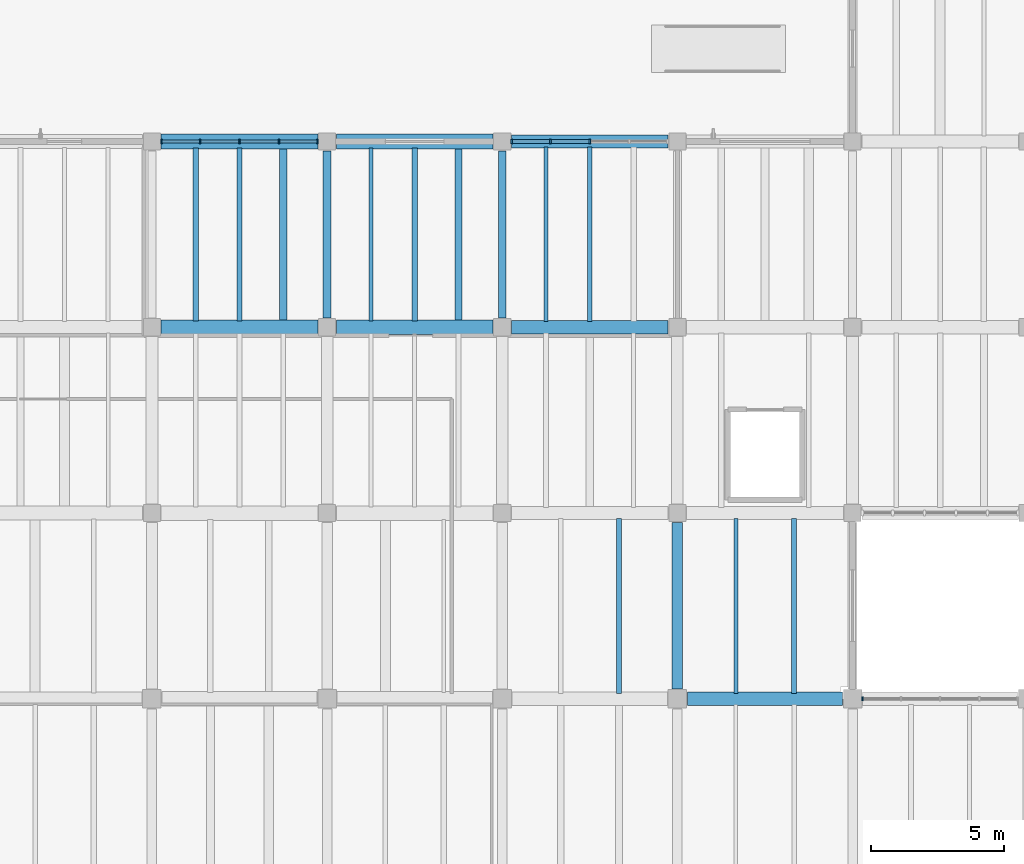
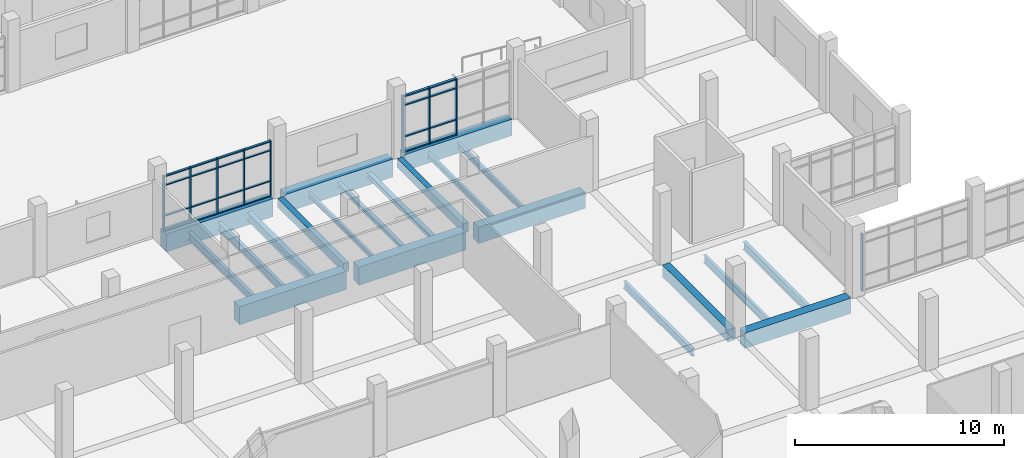
# One storey, part 17 of 69: 33 members, 21 beams, 3 elements without a shape of their own.
"""IFC4 building model written with IfcOpenShell, lengths in metres."""

from ifc_helpers import new_model, si_unit, direction, frame, origin, origin_2d, place, context, subcontext, project, spatial, rectangle, i_section, extrude, material, material_profile, profile_set, type_object, element, aggregate, save


model = new_model("IFC4")

# Units and contexts
model_context = context("Model", 3, precision=1e-05, world=origin(), true_north=direction((0.0, 1.0)))
body_context = subcontext(model_context, "Body", "Model", "MODEL_VIEW")
ifc_project = project(units=[si_unit("LENGTHUNIT", "METRE"), si_unit("AREAUNIT", "SQUARE_METRE"), si_unit("VOLUMEUNIT", "CUBIC_METRE"), si_unit("PLANEANGLEUNIT", "RADIAN"), si_unit("MASSUNIT", "GRAM", prefix="KILO")], contexts=[model_context])

# Site, building, storey
site_placement = place(None, origin())
site = spatial("IfcSite", under=ifc_project, at=site_placement, CompositionType="ELEMENT")
building_placement = place(site_placement, origin())
building = spatial("IfcBuilding", under=site, at=building_placement, Name="Ciguamira Faculty of Natural Sciences", CompositionType="ELEMENT")
storey_placement = place(building_placement, origin())
storey = spatial("IfcBuildingStorey", under=building, at=storey_placement, Name="L00", CompositionType="ELEMENT", Elevation=0.0)

# Curtain wall, member
ifc_material_1 = material(Name="Anodized aluminium curtain wall", Category="aluminium")
curtain_wall_type_1 = type_object("IfcCurtainWallType", Name="CurtainWall_CW-07", PredefinedType="USERDEFINED", material=ifc_material_1)
curtain_wall_1_placement = place(storey_placement, origin())
curtain_wall_1 = element("IfcCurtainWall", 1, at=curtain_wall_1_placement, inside=storey, type_object=curtain_wall_type_1, Name="L00 unitised curtain wall 0007", ObjectType="UNITISED CURTAIN WALL", PredefinedType="USERDEFINED")
ifc_material_2 = material(Name="Anodized aluminium mullion", Category="aluminium")
ifc_material_profile_1 = material_profile(ifc_material_2, rectangle(XDim=0.06005859375, YDim=0.159912109375, at=origin_2d()), Name="ALU-MUL-60X160")
ifc_profile_set_1 = profile_set([ifc_material_profile_1], Name="Anodized aluminium mullion")
member_type_1 = type_object("IfcMemberType", Name="CWMullion_CWM-01", PredefinedType="MULLION", material=ifc_profile_set_1)
member_1_placement = place(storey_placement, frame((110.47998046875, 38.0, 0.0), z_axis=(0.0, 0.0, 1.0), x_axis=(1.0, 0.0, 0.0)))
member_1 = element("IfcMember", 2, at=member_1_placement, type_object=member_type_1, Name="CW-07 mullion 1", PredefinedType="MULLION", context=body_context, shape_type="SweptSolid", body=[
    extrude(rectangle(XDim=0.06005859375, YDim=0.159912109375, at=origin_2d()), origin(), (0.0, 0.0, 1.0), 3.364990234375),
])
aggregate(curtain_wall_1, [member_1])

# Curtain wall, members
curtain_wall_type_2 = type_object("IfcCurtainWallType", Name="CurtainWall_CW-10", PredefinedType="USERDEFINED", material=ifc_material_1)
curtain_wall_2_placement = place(storey_placement, origin())
curtain_wall_2 = element("IfcCurtainWall", 3, at=curtain_wall_2_placement, inside=storey, type_object=curtain_wall_type_2, Name="L00 unitised curtain wall 0010", ObjectType="UNITISED CURTAIN WALL", PredefinedType="USERDEFINED")
member_2_placement = place(storey_placement, frame((84.054931640625, 59.0, 0.0), z_axis=(0.0, 0.0, 1.0), x_axis=(1.0, 0.0, 0.0)))
member_2 = element("IfcMember", 4, at=member_2_placement, type_object=member_type_1, Name="CW-10 mullion 1", PredefinedType="MULLION", context=body_context, shape_type="SweptSolid", body=[
    extrude(rectangle(XDim=0.06005859375, YDim=0.159912109375, at=origin_2d()), origin(), (0.0, 0.0, 1.0), 3.235107421875),
])
member_3_placement = place(storey_placement, frame((85.512451171875, 59.0, 0.0), z_axis=(0.0, 0.0, 1.0), x_axis=(1.0, 0.0, 0.0)))
member_3 = element("IfcMember", 5, at=member_3_placement, type_object=member_type_1, Name="CW-10 mullion 2", PredefinedType="MULLION", context=body_context, shape_type="SweptSolid", body=[
    extrude(rectangle(XDim=0.06005859375, YDim=0.159912109375, at=origin_2d()), origin(), (0.0, 0.0, 1.0), 3.235107421875),
])
member_4_placement = place(storey_placement, frame((87.0, 59.0, 0.0), z_axis=(0.0, 0.0, 1.0), x_axis=(1.0, 0.0, 0.0)))
member_4 = element("IfcMember", 6, at=member_4_placement, type_object=member_type_1, Name="CW-10 mullion 3", PredefinedType="MULLION", context=body_context, shape_type="SweptSolid", body=[
    extrude(rectangle(XDim=0.06005859375, YDim=0.159912109375, at=origin_2d()), origin(), (0.0, 0.0, 1.0), 3.235107421875),
])
member_5_placement = place(storey_placement, frame((88.487548828125, 59.0, 0.0), z_axis=(0.0, 0.0, 1.0), x_axis=(1.0, 0.0, 0.0)))
member_5 = element("IfcMember", 7, at=member_5_placement, type_object=member_type_1, Name="CW-10 mullion 4", PredefinedType="MULLION", context=body_context, shape_type="SweptSolid", body=[
    extrude(rectangle(XDim=0.06005859375, YDim=0.159912109375, at=origin_2d()), origin(), (0.0, 0.0, 1.0), 3.235107421875),
])
member_6_placement = place(storey_placement, frame((89.945068359375, 59.0, 0.0), z_axis=(0.0, 0.0, 1.0), x_axis=(1.0, 0.0, 0.0)))
member_6 = element("IfcMember", 8, at=member_6_placement, type_object=member_type_1, Name="CW-10 mullion 5", PredefinedType="MULLION", context=body_context, shape_type="SweptSolid", body=[
    extrude(rectangle(XDim=0.06005859375, YDim=0.159912109375, at=origin_2d()), origin(), (0.0, 0.0, 1.0), 3.235107421875),
])

curtain_wall_type_3 = type_object("IfcCurtainWallType", Name="CurtainWall_CW-11", PredefinedType="USERDEFINED", material=ifc_material_1)
curtain_wall_3_placement = place(storey_placement, origin())
curtain_wall_3 = element("IfcCurtainWall", 9, at=curtain_wall_3_placement, inside=storey, type_object=curtain_wall_type_3, Name="L00 unitised curtain wall 0011", ObjectType="UNITISED CURTAIN WALL", PredefinedType="USERDEFINED")
ifc_material_profile_2 = material_profile(ifc_material_2, rectangle(XDim=0.070068359375, YDim=0.179931640625, at=origin_2d()), Name="ALU-MUL-70X180")
ifc_profile_set_2 = profile_set([ifc_material_profile_2], Name="Anodized aluminium mullion")
member_type_2 = type_object("IfcMemberType", Name="CWMullion_CWM-02", PredefinedType="MULLION", material=ifc_profile_set_2)
member_7_placement = place(storey_placement, frame((97.260009765625, 59.0, 0.0), z_axis=(0.0, 0.0, 1.0), x_axis=(1.0, 0.0, 0.0)))
member_7 = element("IfcMember", 10, at=member_7_placement, type_object=member_type_2, Name="CW-11 mullion 1", PredefinedType="MULLION", context=body_context, shape_type="SweptSolid", body=[
    extrude(rectangle(XDim=0.070068359375, YDim=0.179931640625, at=origin_2d()), origin(), (0.0, 0.0, 1.0), 3.284912109375),
])
member_8_placement = place(storey_placement, frame((98.71240234375, 59.0, 0.0), z_axis=(0.0, 0.0, 1.0), x_axis=(1.0, 0.0, 0.0)))
member_8 = element("IfcMember", 11, at=member_8_placement, type_object=member_type_2, Name="CW-11 mullion 2", PredefinedType="MULLION", context=body_context, shape_type="SweptSolid", body=[
    extrude(rectangle(XDim=0.070068359375, YDim=0.179931640625, at=origin_2d()), origin(), (0.0, 0.0, 1.0), 3.284912109375),
])
member_9_placement = place(storey_placement, frame((100.199951171875, 59.0, 0.0), z_axis=(0.0, 0.0, 1.0), x_axis=(1.0, 0.0, 0.0)))
member_9 = element("IfcMember", 12, at=member_9_placement, type_object=member_type_2, Name="CW-11 mullion 3", PredefinedType="MULLION", context=body_context, shape_type="SweptSolid", body=[
    extrude(rectangle(XDim=0.070068359375, YDim=0.179931640625, at=origin_2d()), origin(), (0.0, 0.0, 1.0), 3.284912109375),
])

# Member
ifc_material_3 = material(Name="Anodized aluminium transom", Category="aluminium")
ifc_material_profile_3 = material_profile(ifc_material_3, rectangle(XDim=0.06005859375, YDim=0.1201171875, at=origin_2d()), Name="ALU-TRN-60X120")
ifc_profile_set_3 = profile_set([ifc_material_profile_3], Name="Anodized aluminium transom")
member_type_3 = type_object("IfcMemberType", Name="CWTransom_CWT-01", PredefinedType="USERDEFINED", material=ifc_profile_set_3)
member_10_placement = place(storey_placement, frame((84.0849609375, 59.0, 0.030029296875), z_axis=(1.0, 0.0, 0.0), x_axis=(0.0, 0.0, 1.0)))
member_10 = element("IfcMember", 13, at=member_10_placement, type_object=member_type_3, Name="CW-10 transom 1.1", ObjectType="TRANSOM", PredefinedType="USERDEFINED", context=body_context, shape_type="SweptSolid", body=[
    extrude(rectangle(XDim=0.06005859375, YDim=0.1201171875, at=origin_2d()), origin(), (0.0, 0.0, 1.0), 1.3974609375),
])

member_11_placement = place(storey_placement, frame((84.0849609375, 59.0, 0.89990234375), z_axis=(1.0, 0.0, 0.0), x_axis=(0.0, 0.0, 1.0)))
member_11 = element("IfcMember", 14, at=member_11_placement, type_object=member_type_3, Name="CW-10 transom 1.2", ObjectType="TRANSOM", PredefinedType="USERDEFINED", context=body_context, shape_type="SweptSolid", body=[
    extrude(rectangle(XDim=0.06005859375, YDim=0.1201171875, at=origin_2d()), origin(), (0.0, 0.0, 1.0), 1.3974609375),
])

member_12_placement = place(storey_placement, frame((84.0849609375, 59.0, 2.68505859375), z_axis=(1.0, 0.0, 0.0), x_axis=(0.0, 0.0, 1.0)))
member_12 = element("IfcMember", 15, at=member_12_placement, type_object=member_type_3, Name="CW-10 transom 1.3", ObjectType="TRANSOM", PredefinedType="USERDEFINED", context=body_context, shape_type="SweptSolid", body=[
    extrude(rectangle(XDim=0.06005859375, YDim=0.1201171875, at=origin_2d()), origin(), (0.0, 0.0, 1.0), 1.3974609375),
])

member_13_placement = place(storey_placement, frame((84.0849609375, 59.0, 3.205078125), z_axis=(1.0, 0.0, 0.0), x_axis=(0.0, 0.0, 1.0)))
member_13 = element("IfcMember", 16, at=member_13_placement, type_object=member_type_3, Name="CW-10 transom 1.4", ObjectType="TRANSOM", PredefinedType="USERDEFINED", context=body_context, shape_type="SweptSolid", body=[
    extrude(rectangle(XDim=0.06005859375, YDim=0.1201171875, at=origin_2d()), origin(), (0.0, 0.0, 1.0), 1.3974609375),
])

member_14_placement = place(storey_placement, frame((85.54248046875, 59.0, 0.030029296875), z_axis=(1.0, 0.0, 0.0), x_axis=(0.0, 0.0, 1.0)))
member_14 = element("IfcMember", 17, at=member_14_placement, type_object=member_type_3, Name="CW-10 transom 2.1", ObjectType="TRANSOM", PredefinedType="USERDEFINED", context=body_context, shape_type="SweptSolid", body=[
    extrude(rectangle(XDim=0.06005859375, YDim=0.1201171875, at=origin_2d()), origin(), (0.0, 0.0, 1.0), 1.427490234375),
])

member_15_placement = place(storey_placement, frame((85.54248046875, 59.0, 0.89990234375), z_axis=(1.0, 0.0, 0.0), x_axis=(0.0, 0.0, 1.0)))
member_15 = element("IfcMember", 18, at=member_15_placement, type_object=member_type_3, Name="CW-10 transom 2.2", ObjectType="TRANSOM", PredefinedType="USERDEFINED", context=body_context, shape_type="SweptSolid", body=[
    extrude(rectangle(XDim=0.06005859375, YDim=0.1201171875, at=origin_2d()), origin(), (0.0, 0.0, 1.0), 1.427490234375),
])

member_16_placement = place(storey_placement, frame((85.54248046875, 59.0, 2.68505859375), z_axis=(1.0, 0.0, 0.0), x_axis=(0.0, 0.0, 1.0)))
member_16 = element("IfcMember", 19, at=member_16_placement, type_object=member_type_3, Name="CW-10 transom 2.3", ObjectType="TRANSOM", PredefinedType="USERDEFINED", context=body_context, shape_type="SweptSolid", body=[
    extrude(rectangle(XDim=0.06005859375, YDim=0.1201171875, at=origin_2d()), origin(), (0.0, 0.0, 1.0), 1.427490234375),
])

member_17_placement = place(storey_placement, frame((85.54248046875, 59.0, 3.205078125), z_axis=(1.0, 0.0, 0.0), x_axis=(0.0, 0.0, 1.0)))
member_17 = element("IfcMember", 20, at=member_17_placement, type_object=member_type_3, Name="CW-10 transom 2.4", ObjectType="TRANSOM", PredefinedType="USERDEFINED", context=body_context, shape_type="SweptSolid", body=[
    extrude(rectangle(XDim=0.06005859375, YDim=0.1201171875, at=origin_2d()), origin(), (0.0, 0.0, 1.0), 1.427490234375),
])

member_18_placement = place(storey_placement, frame((87.030029296875, 59.0, 0.030029296875), z_axis=(1.0, 0.0, 0.0), x_axis=(0.0, 0.0, 1.0)))
member_18 = element("IfcMember", 21, at=member_18_placement, type_object=member_type_3, Name="CW-10 transom 3.1", ObjectType="TRANSOM", PredefinedType="USERDEFINED", context=body_context, shape_type="SweptSolid", body=[
    extrude(rectangle(XDim=0.06005859375, YDim=0.1201171875, at=origin_2d()), origin(), (0.0, 0.0, 1.0), 1.427490234375),
])

member_19_placement = place(storey_placement, frame((87.030029296875, 59.0, 0.89990234375), z_axis=(1.0, 0.0, 0.0), x_axis=(0.0, 0.0, 1.0)))
member_19 = element("IfcMember", 22, at=member_19_placement, type_object=member_type_3, Name="CW-10 transom 3.2", ObjectType="TRANSOM", PredefinedType="USERDEFINED", context=body_context, shape_type="SweptSolid", body=[
    extrude(rectangle(XDim=0.06005859375, YDim=0.1201171875, at=origin_2d()), origin(), (0.0, 0.0, 1.0), 1.427490234375),
])

member_20_placement = place(storey_placement, frame((87.030029296875, 59.0, 2.68505859375), z_axis=(1.0, 0.0, 0.0), x_axis=(0.0, 0.0, 1.0)))
member_20 = element("IfcMember", 23, at=member_20_placement, type_object=member_type_3, Name="CW-10 transom 3.3", ObjectType="TRANSOM", PredefinedType="USERDEFINED", context=body_context, shape_type="SweptSolid", body=[
    extrude(rectangle(XDim=0.06005859375, YDim=0.1201171875, at=origin_2d()), origin(), (0.0, 0.0, 1.0), 1.427490234375),
])

member_21_placement = place(storey_placement, frame((87.030029296875, 59.0, 3.205078125), z_axis=(1.0, 0.0, 0.0), x_axis=(0.0, 0.0, 1.0)))
member_21 = element("IfcMember", 24, at=member_21_placement, type_object=member_type_3, Name="CW-10 transom 3.4", ObjectType="TRANSOM", PredefinedType="USERDEFINED", context=body_context, shape_type="SweptSolid", body=[
    extrude(rectangle(XDim=0.06005859375, YDim=0.1201171875, at=origin_2d()), origin(), (0.0, 0.0, 1.0), 1.427490234375),
])

member_22_placement = place(storey_placement, frame((88.517578125, 59.0, 0.030029296875), z_axis=(1.0, 0.0, 0.0), x_axis=(0.0, 0.0, 1.0)))
member_22 = element("IfcMember", 25, at=member_22_placement, type_object=member_type_3, Name="CW-10 transom 4.1", ObjectType="TRANSOM", PredefinedType="USERDEFINED", context=body_context, shape_type="SweptSolid", body=[
    extrude(rectangle(XDim=0.06005859375, YDim=0.1201171875, at=origin_2d()), origin(), (0.0, 0.0, 1.0), 1.3974609375),
])

member_23_placement = place(storey_placement, frame((88.517578125, 59.0, 0.89990234375), z_axis=(1.0, 0.0, 0.0), x_axis=(0.0, 0.0, 1.0)))
member_23 = element("IfcMember", 26, at=member_23_placement, type_object=member_type_3, Name="CW-10 transom 4.2", ObjectType="TRANSOM", PredefinedType="USERDEFINED", context=body_context, shape_type="SweptSolid", body=[
    extrude(rectangle(XDim=0.06005859375, YDim=0.1201171875, at=origin_2d()), origin(), (0.0, 0.0, 1.0), 1.3974609375),
])

member_24_placement = place(storey_placement, frame((88.517578125, 59.0, 2.68505859375), z_axis=(1.0, 0.0, 0.0), x_axis=(0.0, 0.0, 1.0)))
member_24 = element("IfcMember", 27, at=member_24_placement, type_object=member_type_3, Name="CW-10 transom 4.3", ObjectType="TRANSOM", PredefinedType="USERDEFINED", context=body_context, shape_type="SweptSolid", body=[
    extrude(rectangle(XDim=0.06005859375, YDim=0.1201171875, at=origin_2d()), origin(), (0.0, 0.0, 1.0), 1.3974609375),
])

member_25_placement = place(storey_placement, frame((88.517578125, 59.0, 3.205078125), z_axis=(1.0, 0.0, 0.0), x_axis=(0.0, 0.0, 1.0)))
member_25 = element("IfcMember", 28, at=member_25_placement, type_object=member_type_3, Name="CW-10 transom 4.4", ObjectType="TRANSOM", PredefinedType="USERDEFINED", context=body_context, shape_type="SweptSolid", body=[
    extrude(rectangle(XDim=0.06005859375, YDim=0.1201171875, at=origin_2d()), origin(), (0.0, 0.0, 1.0), 1.3974609375),
])

aggregate(curtain_wall_2, [member_2, member_3, member_4, member_5, member_6, member_10, member_11, member_12, member_13, member_14, member_15, member_16, member_17, member_18, member_19, member_20, member_21, member_22, member_23, member_24, member_25])

ifc_material_profile_4 = material_profile(ifc_material_3, rectangle(XDim=0.070068359375, YDim=0.139892578125, at=origin_2d()), Name="ALU-TRN-70X140")
ifc_profile_set_4 = profile_set([ifc_material_profile_4], Name="Anodized aluminium transom")
member_type_4 = type_object("IfcMemberType", Name="CWTransom_CWT-02", PredefinedType="USERDEFINED", material=ifc_profile_set_4)
member_26_placement = place(storey_placement, frame((97.294921875, 59.0, 0.034912109375), z_axis=(1.0, 0.0, 0.0), x_axis=(0.0, 0.0, 1.0)))
member_26 = element("IfcMember", 29, at=member_26_placement, type_object=member_type_4, Name="CW-11 transom 1.1", ObjectType="TRANSOM", PredefinedType="USERDEFINED", context=body_context, shape_type="SweptSolid", body=[
    extrude(rectangle(XDim=0.070068359375, YDim=0.139892578125, at=origin_2d()), origin(), (0.0, 0.0, 1.0), 1.382568359375),
])

member_27_placement = place(storey_placement, frame((97.294921875, 59.0, 0.89990234375), z_axis=(1.0, 0.0, 0.0), x_axis=(0.0, 0.0, 1.0)))
member_27 = element("IfcMember", 30, at=member_27_placement, type_object=member_type_4, Name="CW-11 transom 1.2", ObjectType="TRANSOM", PredefinedType="USERDEFINED", context=body_context, shape_type="SweptSolid", body=[
    extrude(rectangle(XDim=0.070068359375, YDim=0.139892578125, at=origin_2d()), origin(), (0.0, 0.0, 1.0), 1.382568359375),
])

member_28_placement = place(storey_placement, frame((97.294921875, 59.0, 2.735107421875), z_axis=(1.0, 0.0, 0.0), x_axis=(0.0, 0.0, 1.0)))
member_28 = element("IfcMember", 31, at=member_28_placement, type_object=member_type_4, Name="CW-11 transom 1.3", ObjectType="TRANSOM", PredefinedType="USERDEFINED", context=body_context, shape_type="SweptSolid", body=[
    extrude(rectangle(XDim=0.070068359375, YDim=0.139892578125, at=origin_2d()), origin(), (0.0, 0.0, 1.0), 1.382568359375),
])

member_29_placement = place(storey_placement, frame((97.294921875, 59.0, 3.25), z_axis=(1.0, 0.0, 0.0), x_axis=(0.0, 0.0, 1.0)))
member_29 = element("IfcMember", 32, at=member_29_placement, type_object=member_type_4, Name="CW-11 transom 1.4", ObjectType="TRANSOM", PredefinedType="USERDEFINED", context=body_context, shape_type="SweptSolid", body=[
    extrude(rectangle(XDim=0.070068359375, YDim=0.139892578125, at=origin_2d()), origin(), (0.0, 0.0, 1.0), 1.382568359375),
])

member_30_placement = place(storey_placement, frame((98.74755859375, 59.0, 0.034912109375), z_axis=(1.0, 0.0, 0.0), x_axis=(0.0, 0.0, 1.0)))
member_30 = element("IfcMember", 33, at=member_30_placement, type_object=member_type_4, Name="CW-11 transom 2.1", ObjectType="TRANSOM", PredefinedType="USERDEFINED", context=body_context, shape_type="SweptSolid", body=[
    extrude(rectangle(XDim=0.070068359375, YDim=0.139892578125, at=origin_2d()), origin(), (0.0, 0.0, 1.0), 1.41748046875),
])

member_31_placement = place(storey_placement, frame((98.74755859375, 59.0, 0.89990234375), z_axis=(1.0, 0.0, 0.0), x_axis=(0.0, 0.0, 1.0)))
member_31 = element("IfcMember", 34, at=member_31_placement, type_object=member_type_4, Name="CW-11 transom 2.2", ObjectType="TRANSOM", PredefinedType="USERDEFINED", context=body_context, shape_type="SweptSolid", body=[
    extrude(rectangle(XDim=0.070068359375, YDim=0.139892578125, at=origin_2d()), origin(), (0.0, 0.0, 1.0), 1.41748046875),
])

member_32_placement = place(storey_placement, frame((98.74755859375, 59.0, 2.735107421875), z_axis=(1.0, 0.0, 0.0), x_axis=(0.0, 0.0, 1.0)))
member_32 = element("IfcMember", 35, at=member_32_placement, type_object=member_type_4, Name="CW-11 transom 2.3", ObjectType="TRANSOM", PredefinedType="USERDEFINED", context=body_context, shape_type="SweptSolid", body=[
    extrude(rectangle(XDim=0.070068359375, YDim=0.139892578125, at=origin_2d()), origin(), (0.0, 0.0, 1.0), 1.41748046875),
])

member_33_placement = place(storey_placement, frame((98.74755859375, 59.0, 3.25), z_axis=(1.0, 0.0, 0.0), x_axis=(0.0, 0.0, 1.0)))
member_33 = element("IfcMember", 36, at=member_33_placement, type_object=member_type_4, Name="CW-11 transom 2.4", ObjectType="TRANSOM", PredefinedType="USERDEFINED", context=body_context, shape_type="SweptSolid", body=[
    extrude(rectangle(XDim=0.070068359375, YDim=0.139892578125, at=origin_2d()), origin(), (0.0, 0.0, 1.0), 1.41748046875),
])

aggregate(curtain_wall_3, [member_7, member_8, member_9, member_26, member_27, member_28, member_29, member_30, member_31, member_32, member_33])

# Beams
ifc_material_4 = material(Name="Concrete C40/50", Category="concrete")
ifc_material_profile_5 = material_profile(ifc_material_4, rectangle(XDim=0.550048828125, YDim=1.050048828125, at=origin_2d()), Name="RC-BM-550X1050")
ifc_profile_set_5 = profile_set([ifc_material_profile_5], Name="Concrete C40/50")
beam_type_1 = type_object("IfcBeamType", Name="RCBeam_BG-01_RC-BM-550X1050", PredefinedType="BEAM", material=ifc_profile_set_5)
beam_1_placement = place(storey_placement, frame((84.050048828125, 52.0, -0.52490234375), z_axis=(1.0, 0.0, 0.0), x_axis=(0.0, 1.0, 0.0)))
element("IfcBeam", 37, at=beam_1_placement, inside=storey, type_object=beam_type_1, Name="L00 RC girder EW-0113", PredefinedType="BEAM", context=body_context, shape_type="SweptSolid", body=[
    extrude(rectangle(XDim=0.550048828125, YDim=1.050048828125, at=origin_2d()), origin(), (0.0, 0.0, 1.0), 5.89990234375),
])
beam_2_placement = place(storey_placement, frame((90.64990234375, 52.0, -0.52490234375), z_axis=(1.0, 0.0, 0.0), x_axis=(0.0, 1.0, 0.0)))
element("IfcBeam", 38, at=beam_2_placement, inside=storey, type_object=beam_type_1, Name="L00 RC girder EW-0114", PredefinedType="BEAM", context=body_context, shape_type="SweptSolid", body=[
    extrude(rectangle(XDim=0.550048828125, YDim=1.050048828125, at=origin_2d()), origin(), (0.0, 0.0, 1.0), 5.900146484375),
])
beam_3_placement = place(storey_placement, frame((84.050048828125, 59.0, -0.52490234375), z_axis=(1.0, 0.0, 0.0), x_axis=(0.0, 1.0, 0.0)))
element("IfcBeam", 39, at=beam_3_placement, inside=storey, type_object=beam_type_1, Name="L00 RC girder EW-0122", PredefinedType="BEAM", context=body_context, shape_type="SweptSolid", body=[
    extrude(rectangle(XDim=0.550048828125, YDim=1.050048828125, at=origin_2d()), origin(), (0.0, 0.0, 1.0), 5.89990234375),
])
beam_4_placement = place(storey_placement, frame((90.64990234375, 59.0, -0.52490234375), z_axis=(1.0, 0.0, 0.0), x_axis=(0.0, 1.0, 0.0)))
element("IfcBeam", 40, at=beam_4_placement, inside=storey, type_object=beam_type_1, Name="L00 RC girder EW-0123", PredefinedType="BEAM", context=body_context, shape_type="SweptSolid", body=[
    extrude(rectangle(XDim=0.550048828125, YDim=1.050048828125, at=origin_2d()), origin(), (0.0, 0.0, 1.0), 5.900146484375),
])
ifc_material_profile_6 = material_profile(ifc_material_4, rectangle(XDim=0.5, YDim=0.949951171875, at=origin_2d()), Name="RC-BM-500X950")
ifc_profile_set_6 = profile_set([ifc_material_profile_6], Name="Concrete C40/50")
beam_type_2 = type_object("IfcBeamType", Name="RCBeam_BG-02_RC-BM-500X950", PredefinedType="BEAM", material=ifc_profile_set_6)
for number, where, z_axis, x_axis, name in (
    (41, (97.25, 52.0, -0.47509765625), (1.0, 0.0, 0.0), (0.0, 1.0, 0.0), "L00 RC girder EW-0115"),
    (42, (97.25, 59.0, -0.47509765625), (1.0, 0.0, 0.0), (0.0, 1.0, 0.0), "L00 RC girder EW-0124"),
):
    element("IfcBeam", number, at=place(storey_placement, frame(where, z_axis=z_axis, x_axis=x_axis)), inside=storey, type_object=beam_type_2, Name=name, PredefinedType="BEAM", context=body_context, shape_type="SweptSolid", body=[
        extrude(rectangle(XDim=0.5, YDim=0.949951171875, at=origin_2d()), origin(), (0.0, 0.0, 1.0), 5.89990234375),
    ])
ifc_material_profile_7 = material_profile(ifc_material_4, rectangle(XDim=0.5, YDim=0.89990234375, at=origin_2d()), Name="RC-BM-500X900")
ifc_profile_set_7 = profile_set([ifc_material_profile_7], Name="Concrete C40/50")
beam_type_3 = type_object("IfcBeamType", Name="RCBeam_BG-03_RC-BM-500X900", PredefinedType="BEAM", material=ifc_profile_set_7)
beam_5_placement = place(storey_placement, frame((103.875, 38.0, -0.449951171875), z_axis=(1.0, 0.0, 0.0), x_axis=(0.0, 1.0, 0.0)))
element("IfcBeam", 43, at=beam_5_placement, inside=storey, type_object=beam_type_3, Name="L00 RC girder EW-0097", PredefinedType="BEAM", context=body_context, shape_type="SweptSolid", body=[
    extrude(rectangle(XDim=0.5, YDim=0.89990234375, at=origin_2d()), origin(), (0.0, 0.0, 1.0), 5.85009765625),
])
ifc_material_profile_8 = material_profile(ifc_material_4, rectangle(XDim=0.39990234375, YDim=0.699951171875, at=origin_2d()), Name="RC-BM-400X700")
ifc_profile_set_8 = profile_set([ifc_material_profile_8], Name="Concrete C40/50")
beam_type_4 = type_object("IfcBeamType", Name="RCBeam_BG-08_RC-BM-400X700", PredefinedType="BEAM", material=ifc_profile_set_8)
beam_6_placement = place(storey_placement, frame((103.5, 38.375, -0.35009765625), z_axis=(0.0, 1.0, 0.0), x_axis=(-1.0, 0.0, 0.0)))
element("IfcBeam", 44, at=beam_6_placement, inside=storey, type_object=beam_type_4, Name="L00 girder NS-0304", PredefinedType="BEAM", context=body_context, shape_type="SweptSolid", body=[
    extrude(rectangle(XDim=0.39990234375, YDim=0.699951171875, at=origin_2d()), origin(), (0.0, 0.0, 1.0), 6.27490234375),
])
ifc_material_profile_9 = material_profile(ifc_material_4, rectangle(XDim=0.300048828125, YDim=0.52001953125, at=origin_2d()), Name="RC-BM-300X520")
ifc_profile_set_9 = profile_set([ifc_material_profile_9], Name="Concrete C40/50")
beam_type_5 = type_object("IfcBeamType", Name="RCBeam_BG-13_RC-BM-300X520", PredefinedType="BEAM", material=ifc_profile_set_9)
for number, where, z_axis, x_axis, name in (
    (45, (90.300048828125, 52.35009765625, -0.260009765625), (0.0, 1.0, 0.0), (-1.0, 0.0, 0.0), "L00 girder NS-0282"),
    (46, (96.89990234375, 52.35009765625, -0.260009765625), (0.0, 1.0, 0.0), (-1.0, 0.0, 0.0), "L00 girder NS-0294"),
):
    element("IfcBeam", number, at=place(storey_placement, frame(where, z_axis=z_axis, x_axis=x_axis)), inside=storey, type_object=beam_type_5, Name=name, PredefinedType="BEAM", context=body_context, shape_type="SweptSolid", body=[
        extrude(rectangle(XDim=0.300048828125, YDim=0.52001953125, at=origin_2d()), origin(), (0.0, 0.0, 1.0), 6.2998046875),
    ])
ifc_material_5 = material(Name="Steel ASTM A992 Grade 50", Category="steel")
ifc_material_profile_10 = material_profile(ifc_material_5, i_section(OverallWidth=0.14599609375, OverallDepth=0.259033203125, WebThickness=0.006103515625, FlangeThickness=0.009033203125, at=origin_2d()), Name="W10X22")
ifc_profile_set_10 = profile_set([ifc_material_profile_10], Name="Steel ASTM A992 Grade 50")
beam_type_6 = type_object("IfcBeamType", Name="SteelJoist_SJ-01_W10X22", PredefinedType="JOIST", material=ifc_profile_set_10)
beam_7_placement = place(storey_placement, frame((91.949951171875, 52.235107421875, -0.429443359375), z_axis=(0.0, 1.0, 0.0), x_axis=(-1.0, 0.0, 0.0)))
element("IfcBeam", 47, at=beam_7_placement, inside=storey, type_object=beam_type_6, Name="L00 composite steel joist 00206", PredefinedType="JOIST", context=body_context, shape_type="SweptSolid", body=[
    extrude(i_section(OverallWidth=0.14599609375, OverallDepth=0.259033203125, WebThickness=0.006103515625, FlangeThickness=0.009033203125, at=origin_2d()), origin(), (0.0, 0.0, 1.0), 6.52978515625),
])
ifc_material_profile_11 = material_profile(ifc_material_5, i_section(OverallWidth=0.2021484375, OverallDepth=0.2470703125, WebThickness=0.00732421875, FlangeThickness=0.010986328125, at=origin_2d()), Name="W10X33")
ifc_profile_set_11 = profile_set([ifc_material_profile_11], Name="Steel ASTM A992 Grade 50")
beam_type_7 = type_object("IfcBeamType", Name="SteelJoist_SJ-02_W10X33", PredefinedType="JOIST", material=ifc_profile_set_11)
beam_8_placement = place(storey_placement, frame((93.60009765625, 52.235107421875, -0.423583984375), z_axis=(0.0, 1.0, 0.0), x_axis=(-1.0, 0.0, 0.0)))
element("IfcBeam", 48, at=beam_8_placement, inside=storey, type_object=beam_type_7, Name="L00 composite steel joist 00207", PredefinedType="JOIST", context=body_context, shape_type="SweptSolid", body=[
    extrude(i_section(OverallWidth=0.2021484375, OverallDepth=0.2470703125, WebThickness=0.00732421875, FlangeThickness=0.010986328125, at=origin_2d()), origin(), (0.0, 0.0, 1.0), 6.52978515625),
])
ifc_material_profile_12 = material_profile(ifc_material_5, i_section(OverallWidth=0.25390625, OverallDepth=0.25390625, WebThickness=0.008544921875, FlangeThickness=0.01416015625, at=origin_2d()), Name="W10X49")
ifc_profile_set_12 = profile_set([ifc_material_profile_12], Name="Steel ASTM A992 Grade 50")
beam_type_8 = type_object("IfcBeamType", Name="SteelJoist_SJ-03_W10X49", PredefinedType="JOIST", material=ifc_profile_set_12)
beam_9_placement = place(storey_placement, frame((95.25, 52.235107421875, -0.427001953125), z_axis=(0.0, 1.0, 0.0), x_axis=(-1.0, 0.0, 0.0)))
element("IfcBeam", 49, at=beam_9_placement, inside=storey, type_object=beam_type_8, Name="L00 composite steel joist 00208", PredefinedType="JOIST", context=body_context, shape_type="SweptSolid", body=[
    extrude(i_section(OverallWidth=0.25390625, OverallDepth=0.25390625, WebThickness=0.008544921875, FlangeThickness=0.01416015625, at=origin_2d()), origin(), (0.0, 0.0, 1.0), 6.52978515625),
])
ifc_material_profile_13 = material_profile(ifc_material_5, i_section(OverallWidth=0.164794921875, OverallDepth=0.309814453125, WebThickness=0.005859375, FlangeThickness=0.009765625, at=origin_2d()), Name="W12X26")
ifc_profile_set_13 = profile_set([ifc_material_profile_13], Name="Steel ASTM A992 Grade 50")
beam_type_9 = type_object("IfcBeamType", Name="SteelJoist_SJ-04_W12X26", PredefinedType="JOIST", material=ifc_profile_set_13)
beam_10_placement = place(storey_placement, frame((98.550048828125, 52.2099609375, -0.454833984375), z_axis=(0.0, 1.0, 0.0), x_axis=(-1.0, 0.0, 0.0)))
element("IfcBeam", 50, at=beam_10_placement, inside=storey, type_object=beam_type_9, Name="L00 composite steel joist 00232", PredefinedType="JOIST", context=body_context, shape_type="SweptSolid", body=[
    extrude(i_section(OverallWidth=0.164794921875, OverallDepth=0.309814453125, WebThickness=0.005859375, FlangeThickness=0.009765625, at=origin_2d()), origin(), (0.0, 0.0, 1.0), 6.580078125),
])
ifc_material_profile_14 = material_profile(ifc_material_5, i_section(OverallWidth=0.16650390625, OverallDepth=0.3173828125, WebThickness=0.007568359375, FlangeThickness=0.01318359375, at=origin_2d()), Name="W12X35")
ifc_profile_set_14 = profile_set([ifc_material_profile_14], Name="Steel ASTM A992 Grade 50")
beam_type_10 = type_object("IfcBeamType", Name="SteelJoist_SJ-05_W12X35", PredefinedType="JOIST", material=ifc_profile_set_14)
beam_11_placement = place(storey_placement, frame((100.199951171875, 52.2099609375, -0.458740234375), z_axis=(0.0, 1.0, 0.0), x_axis=(-1.0, 0.0, 0.0)))
element("IfcBeam", 51, at=beam_11_placement, inside=storey, type_object=beam_type_10, Name="L00 composite steel joist 00233", PredefinedType="JOIST", context=body_context, shape_type="SweptSolid", body=[
    extrude(i_section(OverallWidth=0.16650390625, OverallDepth=0.3173828125, WebThickness=0.007568359375, FlangeThickness=0.01318359375, at=origin_2d()), origin(), (0.0, 0.0, 1.0), 6.580078125),
])
ifc_material_profile_15 = material_profile(ifc_material_5, i_section(OverallWidth=0.180908203125, OverallDepth=0.41650390625, WebThickness=0.010986328125, FlangeThickness=0.01806640625, at=origin_2d()), Name="W16X57")
ifc_profile_set_15 = profile_set([ifc_material_profile_15], Name="Steel ASTM A992 Grade 50")
beam_type_11 = type_object("IfcBeamType", Name="SteelJoist_SJ-20_W16X57", PredefinedType="JOIST", material=ifc_profile_set_15)
beam_12_placement = place(storey_placement, frame((101.300048828125, 38.2099609375, -0.50830078125), z_axis=(0.0, 1.0, 0.0), x_axis=(-1.0, 0.0, 0.0)))
element("IfcBeam", 52, at=beam_12_placement, inside=storey, type_object=beam_type_11, Name="L00 composite steel joist 00228", PredefinedType="JOIST", context=body_context, shape_type="SweptSolid", body=[
    extrude(i_section(OverallWidth=0.180908203125, OverallDepth=0.41650390625, WebThickness=0.010986328125, FlangeThickness=0.01806640625, at=origin_2d()), origin(), (0.0, 0.0, 1.0), 6.580078125),
])
ifc_material_profile_16 = material_profile(ifc_material_5, i_section(OverallWidth=0.15283203125, OverallDepth=0.45458984375, WebThickness=0.008056640625, FlangeThickness=0.013427734375, at=origin_2d()), Name="W18X40")
ifc_profile_set_16 = profile_set([ifc_material_profile_16], Name="Steel ASTM A992 Grade 50")
beam_type_12 = type_object("IfcBeamType", Name="SteelJoist_SJ-22_W18X40", PredefinedType="JOIST", material=ifc_profile_set_16)
beam_13_placement = place(storey_placement, frame((105.699951171875, 38.2099609375, -0.52734375), z_axis=(0.0, 1.0, 0.0), x_axis=(-1.0, 0.0, 0.0)))
element("IfcBeam", 53, at=beam_13_placement, inside=storey, type_object=beam_type_12, Name="L00 composite steel joist 00256", PredefinedType="JOIST", context=body_context, shape_type="SweptSolid", body=[
    extrude(i_section(OverallWidth=0.15283203125, OverallDepth=0.45458984375, WebThickness=0.008056640625, FlangeThickness=0.013427734375, at=origin_2d()), origin(), (0.0, 0.0, 1.0), 6.580078125),
])
ifc_material_profile_17 = material_profile(ifc_material_5, i_section(OverallWidth=0.1904296875, OverallDepth=0.457275390625, WebThickness=0.009033203125, FlangeThickness=0.014404296875, at=origin_2d()), Name="W18X50")
ifc_profile_set_17 = profile_set([ifc_material_profile_17], Name="Steel ASTM A992 Grade 50")
beam_type_13 = type_object("IfcBeamType", Name="SteelJoist_SJ-23_W18X50", PredefinedType="JOIST", material=ifc_profile_set_17)
beam_14_placement = place(storey_placement, frame((85.35009765625, 52.235107421875, -0.528564453125), z_axis=(0.0, 1.0, 0.0), x_axis=(-1.0, 0.0, 0.0)))
element("IfcBeam", 54, at=beam_14_placement, inside=storey, type_object=beam_type_13, Name="L00 composite steel joist 00181", PredefinedType="JOIST", context=body_context, shape_type="SweptSolid", body=[
    extrude(i_section(OverallWidth=0.1904296875, OverallDepth=0.457275390625, WebThickness=0.009033203125, FlangeThickness=0.014404296875, at=origin_2d()), origin(), (0.0, 0.0, 1.0), 6.52978515625),
])
beam_15_placement = place(storey_placement, frame((107.89990234375, 38.2099609375, -0.528564453125), z_axis=(0.0, 1.0, 0.0), x_axis=(-1.0, 0.0, 0.0)))
element("IfcBeam", 55, at=beam_15_placement, inside=storey, type_object=beam_type_13, Name="L00 composite steel joist 00257", PredefinedType="JOIST", context=body_context, shape_type="SweptSolid", body=[
    extrude(i_section(OverallWidth=0.1904296875, OverallDepth=0.457275390625, WebThickness=0.009033203125, FlangeThickness=0.014404296875, at=origin_2d()), origin(), (0.0, 0.0, 1.0), 6.580078125),
])
ifc_material_profile_18 = material_profile(ifc_material_5, i_section(OverallWidth=0.19287109375, OverallDepth=0.46728515625, WebThickness=0.011474609375, FlangeThickness=0.01904296875, at=origin_2d()), Name="W18X65")
ifc_profile_set_18 = profile_set([ifc_material_profile_18], Name="Steel ASTM A992 Grade 50")
beam_type_14 = type_object("IfcBeamType", Name="SteelJoist_SJ-24_W18X65", PredefinedType="JOIST", material=ifc_profile_set_18)
beam_16_placement = place(storey_placement, frame((87.0, 52.235107421875, -0.53369140625), z_axis=(0.0, 1.0, 0.0), x_axis=(-1.0, 0.0, 0.0)))
element("IfcBeam", 56, at=beam_16_placement, inside=storey, type_object=beam_type_14, Name="L00 composite steel joist 00182", PredefinedType="JOIST", context=body_context, shape_type="SweptSolid", body=[
    extrude(i_section(OverallWidth=0.19287109375, OverallDepth=0.46728515625, WebThickness=0.011474609375, FlangeThickness=0.01904296875, at=origin_2d()), origin(), (0.0, 0.0, 1.0), 6.52978515625),
])
ifc_material_profile_19 = material_profile(ifc_material_5, i_section(OverallWidth=0.279296875, OverallDepth=0.462158203125, WebThickness=0.0107421875, FlangeThickness=0.017333984375, at=origin_2d()), Name="W18X76")
ifc_profile_set_19 = profile_set([ifc_material_profile_19], Name="Steel ASTM A992 Grade 50")
beam_type_15 = type_object("IfcBeamType", Name="SteelJoist_SJ-25_W18X76", PredefinedType="JOIST", material=ifc_profile_set_19)
beam_17_placement = place(storey_placement, frame((88.64990234375, 52.235107421875, -0.531005859375), z_axis=(0.0, 1.0, 0.0), x_axis=(-1.0, 0.0, 0.0)))
element("IfcBeam", 57, at=beam_17_placement, inside=storey, type_object=beam_type_15, Name="L00 composite steel joist 00183", PredefinedType="JOIST", context=body_context, shape_type="SweptSolid", body=[
    extrude(i_section(OverallWidth=0.279296875, OverallDepth=0.462158203125, WebThickness=0.0107421875, FlangeThickness=0.017333984375, at=origin_2d()), origin(), (0.0, 0.0, 1.0), 6.52978515625),
])

save(model, "model.ifc")
